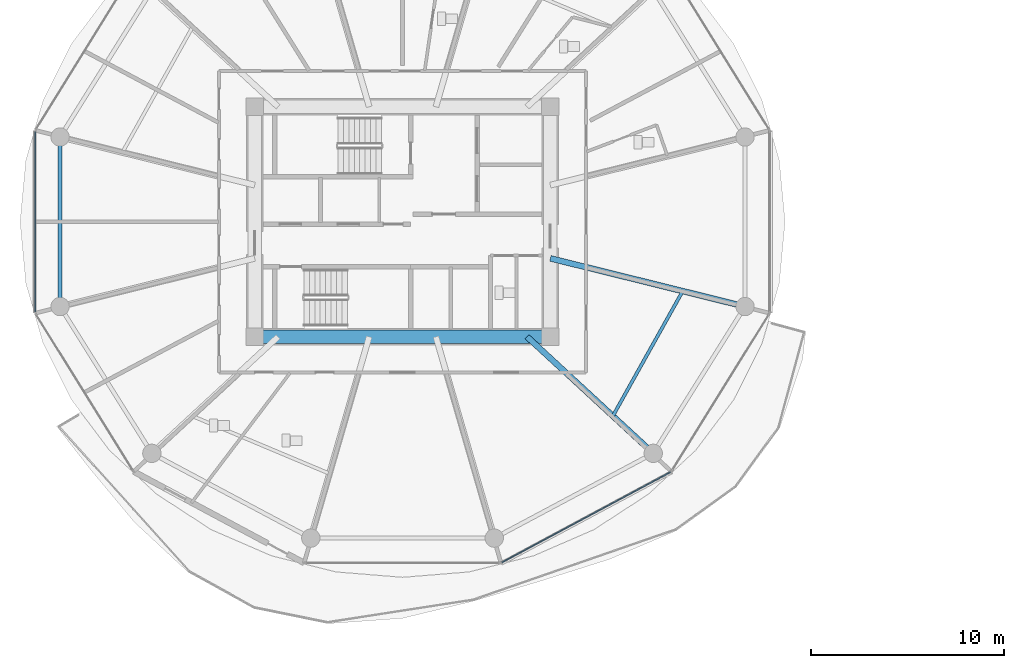
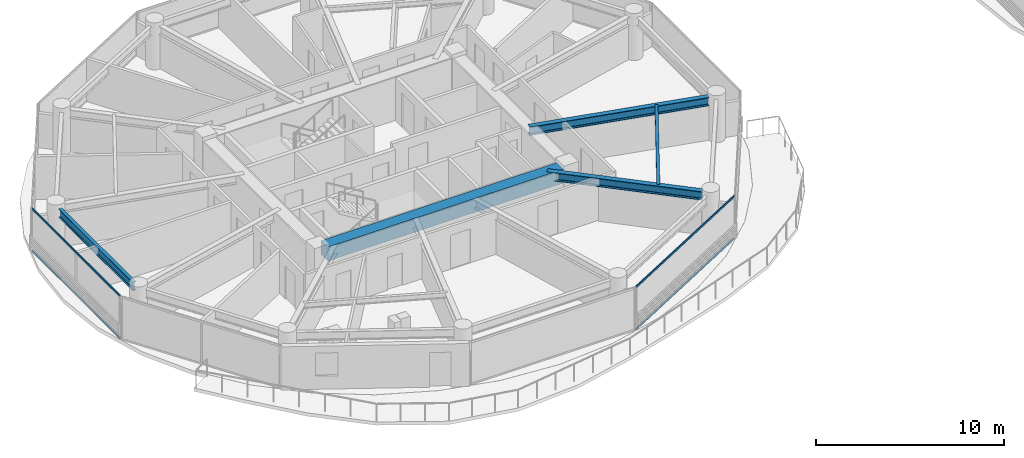
# One storey, part 3 of 27: 5 beams, 4 members, 2 elements without a shape of their own.
"""IFC4 building model written with IfcOpenShell, lengths in metres."""

from ifc_helpers import new_model, si_unit, direction, frame, origin, origin_2d, place, context, subcontext, project, spatial, rectangle, i_section, extrude, source, transform, mapped, material, layer, layer_set, material_profile, profile_set, type_object, type_shapes, element, aggregate, save


model = new_model("IFC4")

# Units and contexts
model_context = context("Model", 3, precision=1e-05, world=origin(), true_north=direction((0.0, 1.0)))
body_context = subcontext(model_context, "Body", "Model", "MODEL_VIEW")
ifc_project = project(units=[si_unit("LENGTHUNIT", "METRE"), si_unit("AREAUNIT", "SQUARE_METRE"), si_unit("VOLUMEUNIT", "CUBIC_METRE"), si_unit("PLANEANGLEUNIT", "RADIAN"), si_unit("MASSUNIT", "GRAM", prefix="KILO")], contexts=[model_context])

# Site, building, storey
site_placement = place(None, origin())
site = spatial("IfcSite", under=ifc_project, at=site_placement, CompositionType="ELEMENT")
building_placement = place(site_placement, origin())
building = spatial("IfcBuilding", under=site, at=building_placement, Name="Norrkilde Senior Care Towers", CompositionType="ELEMENT")
storey_placement = place(building_placement, frame((0.0, 0.0, 52.10009765625)))
storey = spatial("IfcBuildingStorey", under=building, at=storey_placement, Name="L15", CompositionType="ELEMENT", Elevation=52.10009765625)

# Beams
ifc_material_1 = material(Name="Concrete C60/75", Category="concrete")
ifc_material_profile_1 = material_profile(ifc_material_1, rectangle(XDim=0.699951171875, YDim=0.89990234375, at=origin_2d()), Name="RC BM 700x900")
ifc_profile_set_1 = profile_set([ifc_material_profile_1], Name="Concrete C60/75")
beam_type_1 = type_object("IfcBeamType", Name="Core Coupling Girder 700x900", PredefinedType="USERDEFINED", material=ifc_profile_set_1)
shared_shape_1 = source(origin(), body_context, "Body", "SweptSolid", [
    extrude(rectangle(XDim=0.699951171875, YDim=0.89990234375, at=origin_2d()), origin(), (0.0, 0.0, 1.0), 14.43994140625),
])
type_shapes(beam_type_1, [shared_shape_1])
beam_1_placement = place(storey_placement, frame((-35.219970703125, -5.949951171875, 2.33984375), z_axis=(1.0, 0.0, 0.0), x_axis=(0.0, 1.0, 0.0)))
element("IfcBeam", 1, at=beam_1_placement, inside=storey, type_object=beam_type_1, Name="L15 Core W S Coupling Girder", ObjectType="GIRDER", PredefinedType="USERDEFINED", context=body_context, shape_type="MappedRepresentation", body=[
    mapped(shared_shape_1, transform((0.0, 0.0, 0.0), x_axis=(1.0, 0.0, 0.0), y_axis=(0.0, 1.0, 0.0), z_axis=(0.0, 0.0, 1.0), scale=1.0)),
])
ifc_material_2 = material(Name="Steel S355", Category="steel")
ifc_material_profile_2 = material_profile(ifc_material_2, i_section(OverallWidth=0.300048828125, OverallDepth=0.550048828125, WebThickness=0.014892578125, FlangeThickness=0.029052734375, FilletRadius=0.027099609375, at=origin_2d()), Name="HEB 550")
ifc_profile_set_2 = profile_set([ifc_material_profile_2], Name="Steel S355")
beam_type_2 = type_object("IfcBeamType", Name="Radial Floor Beam Z1 HEB550", PredefinedType="BEAM", material=ifc_profile_set_2)
shared_shape_2 = source(origin(), body_context, "Body", "SweptSolid", [
    extrude(i_section(OverallWidth=0.300048828125, OverallDepth=0.550048828125, WebThickness=0.014892578125, FlangeThickness=0.029052734375, FilletRadius=0.027099609375, at=origin_2d()), origin(), (0.0, 0.0, 1.0), 9.94384765625),
])
beam_2_placement = place(storey_placement, frame((-20.35009765625, -1.893310546875, 2.514892578125), z_axis=(0.970707425182, -0.240264634718, 0.0), x_axis=(0.240264634718, 0.970707425182, 0.0)))
element("IfcBeam", 2, at=beam_2_placement, inside=storey, type_object=beam_type_2, Name="L15 Drum W Radial Floor Beam 12", PredefinedType="BEAM", context=body_context, shape_type="MappedRepresentation", body=[
    mapped(shared_shape_2, transform((0.0, 0.0, 0.0), x_axis=(1.0, 0.0, 0.0), y_axis=(0.0, 1.0, 0.0), z_axis=(0.0, 0.0, 1.0), scale=1.0)),
])
shared_shape_3 = source(origin(), body_context, "Body", "SweptSolid", [
    extrude(i_section(OverallWidth=0.300048828125, OverallDepth=0.550048828125, WebThickness=0.014892578125, FlangeThickness=0.029052734375, FilletRadius=0.027099609375, at=origin_2d()), origin(), (0.0, 0.0, 1.0), 8.459716796875),
])
type_shapes(beam_type_2, [shared_shape_2, shared_shape_3])
beam_3_placement = place(storey_placement, frame((-21.55859375, -5.949951171875, 2.514892578125), z_axis=(0.734573269108, -0.678529374686, 0.0), x_axis=(0.678529374686, 0.734573269108, 0.0)))
element("IfcBeam", 3, at=beam_3_placement, inside=storey, type_object=beam_type_2, Name="L15 Drum W Radial Floor Beam 11", PredefinedType="BEAM", context=body_context, shape_type="MappedRepresentation", body=[
    mapped(shared_shape_3, transform((0.0, 0.0, 0.0), x_axis=(1.0, 0.0, 0.0), y_axis=(0.0, 1.0, 0.0), z_axis=(0.0, 0.0, 1.0), scale=1.0)),
])
ifc_material_profile_3 = material_profile(ifc_material_2, i_section(OverallWidth=0.2099609375, OverallDepth=0.550048828125, WebThickness=0.010986328125, FlangeThickness=0.01708984375, FilletRadius=0.02392578125, at=origin_2d()), Name="IPE 550")
ifc_profile_set_3 = profile_set([ifc_material_profile_3], Name="Steel S355")
beam_type_3 = type_object("IfcBeamType", Name="Perimeter Ring Spandrel Z1 IPE550", PredefinedType="SPANDREL", material=ifc_profile_set_3)
shared_shape_4 = source(origin(), body_context, "Body", "SweptSolid", [
    extrude(i_section(OverallWidth=0.2099609375, OverallDepth=0.550048828125, WebThickness=0.010986328125, FlangeThickness=0.01708984375, FilletRadius=0.02392578125, at=origin_2d()), origin(), (0.0, 0.0, 1.0), 7.90380859375),
])
type_shapes(beam_type_3, [shared_shape_4])
beam_4_placement = place(storey_placement, frame((-45.724853515625, 3.951904296875, 2.514892578125), z_axis=(0.0, -1.0, 0.0), x_axis=(1.0, 0.0, 0.0)))
element("IfcBeam", 4, at=beam_4_placement, inside=storey, type_object=beam_type_3, Name="L15 Drum W Perimeter Spandrel 06", PredefinedType="SPANDREL", context=body_context, shape_type="MappedRepresentation", body=[
    mapped(shared_shape_4, transform((0.0, 0.0, 0.0), x_axis=(1.0, 0.0, 0.0), y_axis=(0.0, 1.0, 0.0), z_axis=(0.0, 0.0, 1.0), scale=1.0)),
])
ifc_material_profile_4 = material_profile(ifc_material_2, i_section(OverallWidth=0.169921875, OverallDepth=0.360107421875, WebThickness=0.008056640625, FlangeThickness=0.0126953125, FilletRadius=0.01806640625, at=origin_2d()), Name="IPE 360")
ifc_profile_set_4 = profile_set([ifc_material_profile_4], Name="Steel S355")
beam_type_4 = type_object("IfcBeamType", Name="Secondary Floor Joist IPE360", PredefinedType="JOIST", material=ifc_profile_set_4)
shared_shape_5 = source(origin(), body_context, "Body", "SweptSolid", [
    extrude(i_section(OverallWidth=0.169921875, OverallDepth=0.360107421875, WebThickness=0.008056640625, FlangeThickness=0.0126953125, FilletRadius=0.01806640625, at=origin_2d()), origin(), (0.0, 0.0, 1.0), 7.40771484375),
])
type_shapes(beam_type_4, [shared_shape_5])
beam_5_placement = place(storey_placement, frame((-17.115478515625, -10.05419921875, 2.60986328125), z_axis=(0.488167754092, 0.872749817453, 0.0), x_axis=(-0.872749817453, 0.488167754092, 0.0)))
element("IfcBeam", 5, at=beam_5_placement, inside=storey, type_object=beam_type_4, Name="L15 Drum W Secondary Floor Joist 4", PredefinedType="JOIST", context=body_context, shape_type="MappedRepresentation", body=[
    mapped(shared_shape_5, transform((0.0, 0.0, 0.0), x_axis=(1.0, 0.0, 0.0), y_axis=(0.0, 1.0, 0.0), z_axis=(0.0, 0.0, 1.0), scale=1.0)),
])

# Curtain wall, members
ifc_material_3 = material(Name="Triple Low-E Insulated Glazing", Category="glass")
ifc_layer = layer(ifc_material_3, 0.199951171875)
ifc_layer_set = layer_set([ifc_layer], Name="Triple Low-E Insulated Glazing")
curtain_wall_type = type_object("IfcCurtainWallType", Name="CW2 Zone 1 Memory Care Curtain Wall", PredefinedType="NOTDEFINED", material=ifc_layer_set)
curtain_wall_1_placement = place(storey_placement, origin())
curtain_wall_1 = element("IfcCurtainWall", 6, at=curtain_wall_1_placement, inside=storey, type_object=curtain_wall_type, Name="L15 Drum W Curtain Wall 09", PredefinedType="NOTDEFINED")
ifc_material_4 = material(Name="Anodised Aluminium", Category="aluminium")
ifc_material_profile_5 = material_profile(ifc_material_4, rectangle(XDim=0.06005859375, YDim=0.1201171875, at=origin_2d()), Name="ALU TRAN 60x120")
ifc_profile_set_5 = profile_set([ifc_material_profile_5], Name="Anodised Aluminium")
member_type = type_object("IfcMemberType", Name="Curtain Wall Transom Typical 60x120", PredefinedType="USERDEFINED", material=ifc_profile_set_5)
shared_shape_6 = source(origin(), body_context, "Body", "SweptSolid", [
    extrude(rectangle(XDim=0.06005859375, YDim=0.1201171875, at=origin_2d()), origin(), (0.0, 0.0, 1.0), 9.880859375),
])
member_1_placement = place(storey_placement, frame((-14.141357421875, -12.95654296875, 0.02978515625), z_axis=(-0.881267204043, -0.47261836092, 0.0), x_axis=(0.47261836092, -0.881267204043, 0.0)))
member_1 = element("IfcMember", 7, at=member_1_placement, type_object=member_type, Name="CW-2 transom 1.1", ObjectType="TRANSOM", PredefinedType="USERDEFINED", context=body_context, shape_type="MappedRepresentation", body=[
    mapped(shared_shape_6, transform((0.0, 0.0, 0.0), x_axis=(1.0, 0.0, 0.0), y_axis=(0.0, 1.0, 0.0), z_axis=(0.0, 0.0, 1.0), scale=1.0)),
])
member_2_placement = place(storey_placement, frame((-14.141357421875, -12.95654296875, 2.760009765625), z_axis=(-0.881267204043, -0.47261836092, 0.0), x_axis=(0.47261836092, -0.881267204043, 0.0)))
member_2 = element("IfcMember", 8, at=member_2_placement, type_object=member_type, Name="CW-2 transom 1.2", ObjectType="TRANSOM", PredefinedType="USERDEFINED", context=body_context, shape_type="MappedRepresentation", body=[
    mapped(shared_shape_6, transform((0.0, 0.0, 0.0), x_axis=(1.0, 0.0, 0.0), y_axis=(0.0, 1.0, 0.0), z_axis=(0.0, 0.0, 1.0), scale=1.0)),
])
aggregate(curtain_wall_1, [member_1, member_2])

curtain_wall_2_placement = place(storey_placement, origin())
curtain_wall_2 = element("IfcCurtainWall", 9, at=curtain_wall_2_placement, inside=storey, type_object=curtain_wall_type, Name="L15 Drum W Curtain Wall 05", PredefinedType="NOTDEFINED")
shared_shape_7 = source(origin(), body_context, "Body", "SweptSolid", [
    extrude(rectangle(XDim=0.06005859375, YDim=0.1201171875, at=origin_2d()), origin(), (0.0, 0.0, 1.0), 9.33251953125),
])
type_shapes(member_type, [shared_shape_6, shared_shape_7])
member_3_placement = place(storey_placement, frame((-47.009521484375, -4.666259765625, 0.02978515625), z_axis=(0.0, 1.0, 0.0), x_axis=(-1.0, 0.0, 0.0)))
member_3 = element("IfcMember", 10, at=member_3_placement, type_object=member_type, Name="CW-2 transom 1.1", ObjectType="TRANSOM", PredefinedType="USERDEFINED", context=body_context, shape_type="MappedRepresentation", body=[
    mapped(shared_shape_7, transform((0.0, 0.0, 0.0), x_axis=(1.0, 0.0, 0.0), y_axis=(0.0, 1.0, 0.0), z_axis=(0.0, 0.0, 1.0), scale=1.0)),
])
member_4_placement = place(storey_placement, frame((-47.009521484375, -4.666259765625, 2.760009765625), z_axis=(0.0, 1.0, 0.0), x_axis=(-1.0, 0.0, 0.0)))
member_4 = element("IfcMember", 11, at=member_4_placement, type_object=member_type, Name="CW-2 transom 1.2", ObjectType="TRANSOM", PredefinedType="USERDEFINED", context=body_context, shape_type="MappedRepresentation", body=[
    mapped(shared_shape_7, transform((0.0, 0.0, 0.0), x_axis=(1.0, 0.0, 0.0), y_axis=(0.0, 1.0, 0.0), z_axis=(0.0, 0.0, 1.0), scale=1.0)),
])
aggregate(curtain_wall_2, [member_3, member_4])

save(model, "model.ifc")
